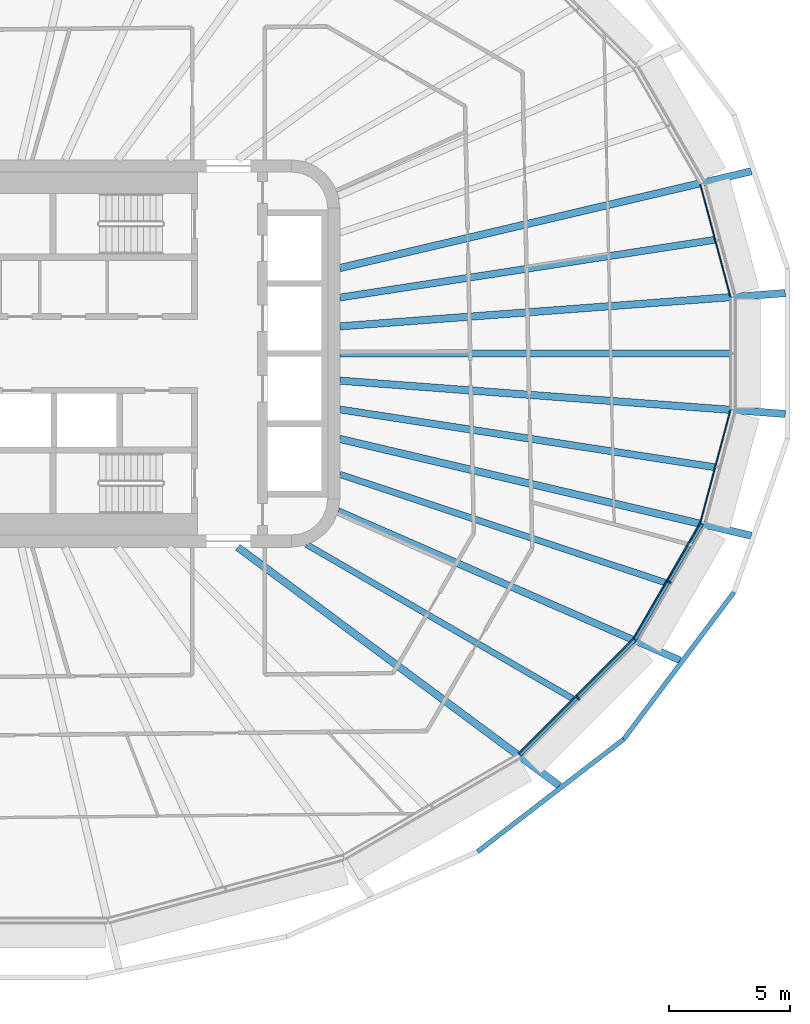
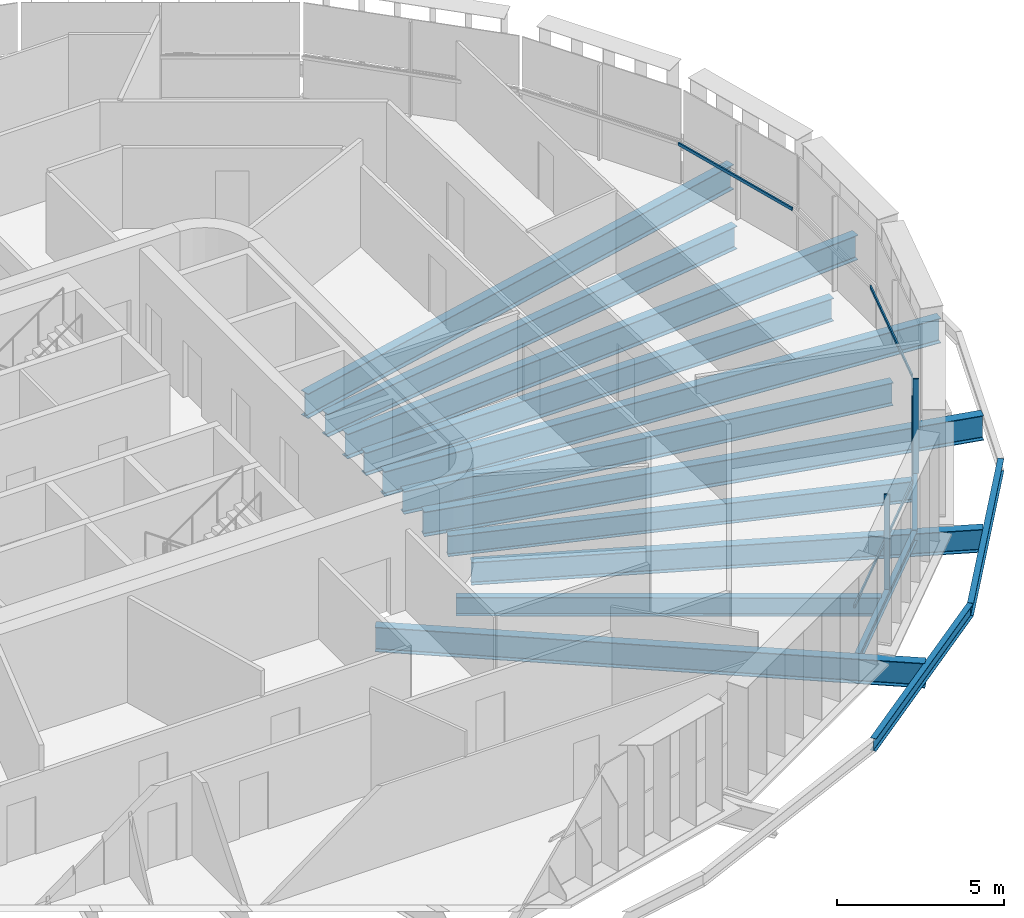
# One storey, part 4 of 23: 15 beams, 6 members, 4 elements without a shape of their own.
"""IFC4 building model written with IfcOpenShell, lengths in metres."""

from ifc_helpers import new_model, si_unit, direction, frame, origin, origin_2d, place, context, subcontext, project, spatial, rectangle, i_section, extrude, material, layer, layer_set, material_profile, profile_set, type_object, element, aggregate, save


model = new_model("IFC4")

# Units and contexts
model_context = context("Model", 3, precision=1e-05, world=origin(), true_north=direction((0.0, 1.0)))
body_context = subcontext(model_context, "Body", "Model", "MODEL_VIEW")
ifc_project = project(units=[si_unit("LENGTHUNIT", "METRE"), si_unit("AREAUNIT", "SQUARE_METRE"), si_unit("VOLUMEUNIT", "CUBIC_METRE"), si_unit("PLANEANGLEUNIT", "RADIAN"), si_unit("MASSUNIT", "GRAM", prefix="KILO")], contexts=[model_context])

# Site, building, storey
site_placement = place(None, origin())
site = spatial("IfcSite", under=ifc_project, at=site_placement, CompositionType="ELEMENT")
building_placement = place(site_placement, origin())
building = spatial("IfcBuilding", under=site, at=building_placement, Name="Sahrelin Media Tower", CompositionType="ELEMENT")
storey_placement = place(building_placement, frame((0.0, 0.0, 157.60009765625)))
storey = spatial("IfcBuildingStorey", under=building, at=storey_placement, Name="L32", CompositionType="ELEMENT", Elevation=157.60009765625)

# Beams
ifc_material_1 = material(Name="Steel S355", Category="steel")
ifc_material_profile_1 = material_profile(ifc_material_1, i_section(OverallWidth=0.1650390625, OverallDepth=0.303466796875, WebThickness=0.006103515625, FlangeThickness=0.01025390625, FilletRadius=0.0087890625, at=origin_2d()), Name="UB 305x165x40")
ifc_profile_set_1 = profile_set([ifc_material_profile_1], Name="Steel S355")
beam_type_1 = type_object("IfcBeamType", Name="Edge beam EB2", PredefinedType="BEAM", material=ifc_profile_set_1)
beam_1_placement = place(storey_placement, frame((29.936279296875, -7.03125, -0.3017578125), z_axis=(-0.499996181239, -0.866027608536, 0.0), x_axis=(0.866027608536, -0.499996181239, 0.0)))
element("IfcBeam", 1, at=beam_1_placement, inside=storey, type_object=beam_type_1, Name="Edge beam L32-03", PredefinedType="BEAM", context=body_context, shape_type="SweptSolid", body=[
    extrude(i_section(OverallWidth=0.1650390625, OverallDepth=0.303466796875, WebThickness=0.006103515625, FlangeThickness=0.01025390625, FilletRadius=0.0087890625, at=origin_2d()), origin(), (0.0, 0.0, 1.0), 5.50732421875),
])
ifc_material_profile_2 = material_profile(ifc_material_1, i_section(OverallWidth=0.17138671875, OverallDepth=0.35498046875, WebThickness=0.00732421875, FlangeThickness=0.011474609375, FilletRadius=0.01025390625, at=origin_2d()), Name="UB 356x171x51")
ifc_profile_set_2 = profile_set([ifc_material_profile_2], Name="Steel S355")
beam_type_2 = type_object("IfcBeamType", Name="Edge beam EB3", PredefinedType="BEAM", material=ifc_profile_set_2)
beam_2_placement = place(storey_placement, frame((27.1650390625, -11.823486328125, -0.32763671875), z_axis=(-0.707088574851, -0.707124987054, 0.0), x_axis=(0.707124987054, -0.707088574851, 0.0)))
element("IfcBeam", 2, at=beam_2_placement, inside=storey, type_object=beam_type_2, Name="Edge beam L32-04", PredefinedType="BEAM", context=body_context, shape_type="SweptSolid", body=[
    extrude(i_section(OverallWidth=0.17138671875, OverallDepth=0.35498046875, WebThickness=0.00732421875, FlangeThickness=0.011474609375, FilletRadius=0.01025390625, at=origin_2d()), origin(), (0.0, 0.0, 1.0), 6.704833984375),
])

# Curtain wall, member
ifc_material_2 = material(Name="Champagne anodised aluminium 6063-T6", Category="aluminium")
ifc_layer = layer(ifc_material_2, 0.14990234375)
ifc_layer_set = layer_set([ifc_layer], Name="Tower ribbon curtain wall")
curtain_wall_type = type_object("IfcCurtainWallType", Name="Tower ribbon curtain wall", PredefinedType="NOTDEFINED", material=ifc_layer_set)
curtain_wall_1_placement = place(storey_placement, frame((24.900390625, -14.300048828125, 0.0), z_axis=(0.0, 0.0, 1.0), x_axis=(1.0, 0.0, 0.0)))
curtain_wall_1 = element("IfcCurtainWall", 3, at=curtain_wall_1_placement, inside=storey, type_object=curtain_wall_type, Name="L32:CW:L32-21", PredefinedType="NOTDEFINED")
ifc_material_profile_3 = material_profile(ifc_material_2, rectangle(XDim=0.06005859375, YDim=0.175048828125, at=origin_2d()), Name="Mullion 60x175")
ifc_profile_set_3 = profile_set([ifc_material_profile_3], Name="Champagne anodised aluminium 6063-T6")
member_type_1 = type_object("IfcMemberType", Name="Mullion 60x175 CW1B", PredefinedType="MULLION", material=ifc_profile_set_3)
member_1_placement = place(storey_placement, frame((24.824462890625, -14.22412109375, 0.0), z_axis=(0.0, 0.0, 1.0), x_axis=(0.707106781187, 0.707106781187, 0.0)))
member_1 = element("IfcMember", 4, at=member_1_placement, type_object=member_type_1, Name="L32:CWM:L32-21", PredefinedType="MULLION", context=body_context, shape_type="SweptSolid", body=[
    extrude(rectangle(XDim=0.06005859375, YDim=0.175048828125, at=origin_2d()), origin(), (0.0, 0.0, 1.0), 3.448486328125),
])

curtain_wall_2_placement = place(storey_placement, frame((28.689208984375, -9.490966796875, 0.0), z_axis=(0.0, 0.0, 1.0), x_axis=(1.0, 0.0, 0.0)))
curtain_wall_2 = element("IfcCurtainWall", 5, at=curtain_wall_2_placement, inside=storey, type_object=curtain_wall_type, Name="L32:CW:L32-22", PredefinedType="NOTDEFINED")
member_2_placement = place(storey_placement, frame((28.59619140625, -9.437255859375, 0.0), z_axis=(0.0, 0.0, 1.0), x_axis=(0.4999984885, 0.866026276448, 0.0)))
member_2 = element("IfcMember", 6, at=member_2_placement, type_object=member_type_1, Name="L32:CWM:L32-22", PredefinedType="MULLION", context=body_context, shape_type="SweptSolid", body=[
    extrude(rectangle(XDim=0.06005859375, YDim=0.175048828125, at=origin_2d()), origin(), (0.0, 0.0, 1.0), 3.448486328125),
])

# Beams
ifc_material_profile_4 = material_profile(ifc_material_1, i_section(OverallWidth=0.291748046875, OverallDepth=0.8349609375, WebThickness=0.013916015625, FlangeThickness=0.018798828125, FilletRadius=0.017822265625, at=origin_2d()), Name="UB 838x292x176")
ifc_profile_set_4 = profile_set([ifc_material_profile_4], Name="Steel S355")
beam_type_3 = type_object("IfcBeamType", Name="Radial primary beam PB10", PredefinedType="BEAM", material=ifc_profile_set_4)
beam_3_placement = place(storey_placement, frame((14.9326171875, -6.51318359375, -0.567626953125), z_axis=(0.916602253647, -0.399800335929, 0.0), x_axis=(0.399800335929, 0.916602253647, 0.0)))
element("IfcBeam", 7, at=beam_3_placement, inside=storey, type_object=beam_type_3, Name="Radial beam L32-22", PredefinedType="BEAM", context=body_context, shape_type="SweptSolid", body=[
    extrude(i_section(OverallWidth=0.291748046875, OverallDepth=0.8349609375, WebThickness=0.013916015625, FlangeThickness=0.018798828125, FilletRadius=0.017822265625, at=origin_2d()), origin(), (0.0, 0.0, 1.0), 15.395263671875),
])
ifc_material_profile_5 = material_profile(ifc_material_1, i_section(OverallWidth=0.30322265625, OverallDepth=0.903076171875, WebThickness=0.01513671875, FlangeThickness=0.020263671875, FilletRadius=0.01904296875, at=origin_2d()), Name="UB 914x305x201")
ifc_profile_set_5 = profile_set([ifc_material_profile_5], Name="Steel S355")
beam_type_4 = type_object("IfcBeamType", Name="Radial primary beam PB11", PredefinedType="BEAM", material=ifc_profile_set_5)
beam_4_placement = place(storey_placement, frame((15.0, 1.12109375, -0.6015625), z_axis=(0.997219391331, 0.074521711965, 0.0), x_axis=(-0.074521711965, 0.997219391331, 0.0)))
element("IfcBeam", 8, at=beam_4_placement, inside=storey, type_object=beam_type_4, Name="Radial beam L32-01", PredefinedType="BEAM", context=body_context, shape_type="SweptSolid", body=[
    extrude(i_section(OverallWidth=0.30322265625, OverallDepth=0.903076171875, WebThickness=0.01513671875, FlangeThickness=0.020263671875, FilletRadius=0.01904296875, at=origin_2d()), origin(), (0.0, 0.0, 1.0), 18.441162109375),
])
beam_5_placement = place(storey_placement, frame((15.0, 3.528564453125, -0.6015625), z_axis=(0.973430745065, 0.228981624942, 0.0), x_axis=(-0.228981624942, 0.973430745065, 0.0)))
element("IfcBeam", 9, at=beam_5_placement, inside=storey, type_object=beam_type_4, Name="Radial beam L32-02", PredefinedType="BEAM", context=body_context, shape_type="SweptSolid", body=[
    extrude(i_section(OverallWidth=0.30322265625, OverallDepth=0.903076171875, WebThickness=0.01513671875, FlangeThickness=0.020263671875, FilletRadius=0.01904296875, at=origin_2d()), origin(), (0.0, 0.0, 1.0), 17.449462890625),
])
beam_6_placement = place(storey_placement, frame((10.784423828125, -8.0, -0.6015625), z_axis=(0.80315204966, -0.595774105788, 0.0), x_axis=(0.595774105788, 0.80315204966, 0.0)))
element("IfcBeam", 10, at=beam_6_placement, inside=storey, type_object=beam_type_4, Name="Radial beam L32-21", PredefinedType="BEAM", context=body_context, shape_type="SweptSolid", body=[
    extrude(i_section(OverallWidth=0.30322265625, OverallDepth=0.903076171875, WebThickness=0.01513671875, FlangeThickness=0.020263671875, FilletRadius=0.01904296875, at=origin_2d()), origin(), (0.0, 0.0, 1.0), 16.532470703125),
])
beam_7_placement = place(storey_placement, frame((15.0, -3.528564453125, -0.6015625), z_axis=(0.973430745065, -0.228981624942, 0.0), x_axis=(0.228981624942, 0.973430745065, 0.0)))
element("IfcBeam", 11, at=beam_7_placement, inside=storey, type_object=beam_type_4, Name="Radial beam L32-23", PredefinedType="BEAM", context=body_context, shape_type="SweptSolid", body=[
    extrude(i_section(OverallWidth=0.30322265625, OverallDepth=0.903076171875, WebThickness=0.01513671875, FlangeThickness=0.020263671875, FilletRadius=0.01904296875, at=origin_2d()), origin(), (0.0, 0.0, 1.0), 17.449462890625),
])
beam_8_placement = place(storey_placement, frame((15.0, -1.12109375, -0.6015625), z_axis=(0.997219391331, -0.074521711965, 0.0), x_axis=(0.074521711965, 0.997219391331, 0.0)))
element("IfcBeam", 12, at=beam_8_placement, inside=storey, type_object=beam_type_4, Name="Radial beam L32-24", PredefinedType="BEAM", context=body_context, shape_type="SweptSolid", body=[
    extrude(i_section(OverallWidth=0.30322265625, OverallDepth=0.903076171875, WebThickness=0.01513671875, FlangeThickness=0.020263671875, FilletRadius=0.01904296875, at=origin_2d()), origin(), (0.0, 0.0, 1.0), 18.441162109375),
])
ifc_material_profile_6 = material_profile(ifc_material_1, i_section(OverallWidth=0.291748046875, OverallDepth=0.8349609375, WebThickness=0.013916015625, FlangeThickness=0.018798828125, FilletRadius=0.017822265625, at=origin_2d()), Name="UB 838x292x176")
ifc_profile_set_6 = profile_set([ifc_material_profile_6], Name="Steel S355")
beam_type_5 = type_object("IfcBeamType", Name="Radial secondary beam SB10", PredefinedType="BEAM", material=ifc_profile_set_6)
for number, where, z_axis, x_axis, name in (
    (13, (15.0, 2.310302734375, -0.567626953125), (0.988348454864, 0.152208185611, 0.0), (-0.152208185611, 0.988348454864, 0.0), "Secondary beam L32-01"),
    (14, (15.0, -2.310302734375, -0.567626953125), (0.988348454864, -0.152208185611, 0.0), (0.152208185611, 0.988348454864, 0.0), "Secondary beam L32-23"),
):
    element("IfcBeam", number, at=place(storey_placement, frame(where, z_axis=z_axis, x_axis=x_axis)), inside=storey, type_object=beam_type_5, Name=name, PredefinedType="BEAM", context=body_context, shape_type="SweptSolid", body=[
        extrude(i_section(OverallWidth=0.291748046875, OverallDepth=0.8349609375, WebThickness=0.013916015625, FlangeThickness=0.018798828125, FilletRadius=0.017822265625, at=origin_2d()), origin(), (0.0, 0.0, 1.0), 15.672607421875),
    ])
beam_9_placement = place(storey_placement, frame((15.0, 0.0, -0.567626953125), z_axis=(1.0, 0.0, 0.0), x_axis=(0.0, 1.0, 0.0)))
element("IfcBeam", 15, at=beam_9_placement, inside=storey, type_object=beam_type_5, Name="Secondary beam L32-24", PredefinedType="BEAM", context=body_context, shape_type="SweptSolid", body=[
    extrude(i_section(OverallWidth=0.291748046875, OverallDepth=0.8349609375, WebThickness=0.013916015625, FlangeThickness=0.018798828125, FilletRadius=0.017822265625, at=origin_2d()), origin(), (0.0, 0.0, 1.0), 16.12841796875),
])
ifc_material_profile_7 = material_profile(ifc_material_1, i_section(OverallWidth=0.2529296875, OverallDepth=0.677978515625, WebThickness=0.01171875, FlangeThickness=0.01611328125, FilletRadius=0.01513671875, at=origin_2d()), Name="UB 686x254x125")
ifc_profile_set_7 = profile_set([ifc_material_profile_7], Name="Steel S355")
beam_type_6 = type_object("IfcBeamType", Name="Radial secondary beam SB8", PredefinedType="BEAM", material=ifc_profile_set_7)
beam_10_placement = place(storey_placement, frame((13.624755859375, -7.887451171875, -0.489013671875), z_axis=(0.865442516247, -0.501008234535, 0.0), x_axis=(0.501008234535, 0.865442516247, 0.0)))
element("IfcBeam", 16, at=beam_10_placement, inside=storey, type_object=beam_type_6, Name="Secondary beam L32-21", PredefinedType="BEAM", context=body_context, shape_type="SweptSolid", body=[
    extrude(i_section(OverallWidth=0.2529296875, OverallDepth=0.677978515625, WebThickness=0.01171875, FlangeThickness=0.01611328125, FilletRadius=0.01513671875, at=origin_2d()), origin(), (0.0, 0.0, 1.0), 12.700927734375),
])
ifc_material_profile_8 = material_profile(ifc_material_1, i_section(OverallWidth=0.26513671875, OverallDepth=0.75390625, WebThickness=0.0126953125, FlangeThickness=0.017578125, FilletRadius=0.0166015625, at=origin_2d()), Name="UB 762x267x147")
ifc_profile_set_8 = profile_set([ifc_material_profile_8], Name="Steel S355")
beam_type_7 = type_object("IfcBeamType", Name="Radial secondary beam SB9", PredefinedType="BEAM", material=ifc_profile_set_8)
beam_11_placement = place(storey_placement, frame((15.0, -4.990234375, -0.527099609375), z_axis=(0.948867590332, -0.315674351219, 0.0), x_axis=(0.315674351219, 0.948867590332, 0.0)))
element("IfcBeam", 17, at=beam_11_placement, inside=storey, type_object=beam_type_7, Name="Secondary beam L32-22", PredefinedType="BEAM", context=body_context, shape_type="SweptSolid", body=[
    extrude(i_section(OverallWidth=0.26513671875, OverallDepth=0.75390625, WebThickness=0.0126953125, FlangeThickness=0.017578125, FilletRadius=0.0166015625, at=origin_2d()), origin(), (0.0, 0.0, 1.0), 14.162353515625),
])
ifc_material_profile_9 = material_profile(ifc_material_1, i_section(OverallWidth=0.1904296875, OverallDepth=0.45703125, WebThickness=0.009033203125, FlangeThickness=0.014404296875, FilletRadius=0.01025390625, at=origin_2d()), Name="UB 457x191x74")
ifc_profile_set_9 = profile_set([ifc_material_profile_9], Name="Steel S355")
beam_type_8 = type_object("IfcBeamType", Name="Tie chord TC5", PredefinedType="BEAM", material=ifc_profile_set_9)
beam_12_placement = place(storey_placement, frame((20.688232421875, -20.567138671875, -0.378662109375), z_axis=(0.792433203357, 0.609958702058, 0.0), x_axis=(-0.609958702058, 0.792433203357, 0.0)))
element("IfcBeam", 18, at=beam_12_placement, inside=storey, type_object=beam_type_8, Name="Tie chord L32-21", PredefinedType="BEAM", context=body_context, shape_type="SweptSolid", body=[
    extrude(i_section(OverallWidth=0.1904296875, OverallDepth=0.45703125, WebThickness=0.009033203125, FlangeThickness=0.014404296875, FilletRadius=0.01025390625, at=origin_2d()), origin(), (0.0, 0.0, 1.0), 7.61279296875),
])
beam_13_placement = place(storey_placement, frame((26.720947265625, -15.923583984375, -0.378662109375), z_axis=(0.600072024218, 0.79994597677, 0.0), x_axis=(-0.79994597677, 0.600072024218, 0.0)))
element("IfcBeam", 19, at=beam_13_placement, inside=storey, type_object=beam_type_8, Name="Tie chord L32-22", PredefinedType="BEAM", context=body_context, shape_type="SweptSolid", body=[
    extrude(i_section(OverallWidth=0.1904296875, OverallDepth=0.45703125, WebThickness=0.009033203125, FlangeThickness=0.014404296875, FilletRadius=0.01025390625, at=origin_2d()), origin(), (0.0, 0.0, 1.0), 7.5927734375),
])

# Curtain wall, member
curtain_wall_3_placement = place(storey_placement, frame((30.71728515625, 4.709716796875, 0.0), z_axis=(0.0, 0.0, 1.0), x_axis=(1.0, 0.0, 0.0)))
curtain_wall_3 = element("IfcCurtainWall", 20, at=curtain_wall_3_placement, inside=storey, type_object=curtain_wall_type, Name="L32:CW:L32-01", PredefinedType="NOTDEFINED")
ifc_material_profile_10 = material_profile(ifc_material_2, rectangle(XDim=0.050048828125, YDim=0.110107421875, at=origin_2d()), Name="Transom 50x110")
ifc_profile_set_10 = profile_set([ifc_material_profile_10], Name="Champagne anodised aluminium 6063-T6")
member_type_2 = type_object("IfcMemberType", Name="Transom 50x110 CW1B", PredefinedType="USERDEFINED", material=ifc_profile_set_10)
member_3_placement = place(storey_placement, frame((31.126220703125, 2.33447265625, 1.599853515625), z_axis=(-0.25885894947, 0.965915133063, 0.0), x_axis=(-0.965915133063, -0.25885894947, 0.0)))
member_3 = element("IfcMember", 21, at=member_3_placement, type_object=member_type_2, Name="L32:CWT:L32-01", ObjectType="TRANSOM", PredefinedType="USERDEFINED", context=body_context, shape_type="SweptSolid", body=[
    extrude(rectangle(XDim=0.050048828125, YDim=0.110107421875, at=origin_2d()), origin(), (0.0, 0.0, 1.0), 4.800537109375),
])
aggregate(curtain_wall_3, [member_3])

# Member
member_4_placement = place(storey_placement, frame((22.385498046875, -16.50390625, 1.599853515625), z_axis=(0.707125072767, 0.707088489133, 0.0), x_axis=(-0.707088489133, 0.707125072767, 0.0)))
member_4 = element("IfcMember", 22, at=member_4_placement, type_object=member_type_2, Name="L32:CWT:L32-21", ObjectType="TRANSOM", PredefinedType="USERDEFINED", context=body_context, shape_type="SweptSolid", body=[
    extrude(rectangle(XDim=0.050048828125, YDim=0.110107421875, at=origin_2d()), origin(), (0.0, 0.0, 1.0), 6.673583984375),
])

aggregate(curtain_wall_1, [member_1, member_4])

member_5_placement = place(storey_placement, frame((27.1298828125, -11.752197265625, 1.599853515625), z_axis=(0.49998489776, 0.866034122891, 0.0), x_axis=(-0.866034122891, 0.49998489776, 0.0)))
member_5 = element("IfcMember", 23, at=member_5_placement, type_object=member_type_2, Name="L32:CWT:L32-22", ObjectType="TRANSOM", PredefinedType="USERDEFINED", context=body_context, shape_type="SweptSolid", body=[
    extrude(rectangle(XDim=0.050048828125, YDim=0.110107421875, at=origin_2d()), origin(), (0.0, 0.0, 1.0), 5.475830078125),
])

aggregate(curtain_wall_2, [member_2, member_5])

# Curtain wall, member
curtain_wall_4_placement = place(storey_placement, frame((30.71728515625, -4.709716796875, 0.0), z_axis=(0.0, 0.0, 1.0), x_axis=(1.0, 0.0, 0.0)))
curtain_wall_4 = element("IfcCurtainWall", 24, at=curtain_wall_4_placement, inside=storey, type_object=curtain_wall_type, Name="L32:CW:L32-23", PredefinedType="NOTDEFINED")
member_6_placement = place(storey_placement, frame((29.883544921875, -6.971435546875, 1.599853515625), z_axis=(0.25885894947, 0.965915133063, 0.0), x_axis=(-0.965915133063, 0.25885894947, 0.0)))
member_6 = element("IfcMember", 25, at=member_6_placement, type_object=member_type_2, Name="L32:CWT:L32-23", ObjectType="TRANSOM", PredefinedType="USERDEFINED", context=body_context, shape_type="SweptSolid", body=[
    extrude(rectangle(XDim=0.050048828125, YDim=0.110107421875, at=origin_2d()), origin(), (0.0, 0.0, 1.0), 4.800537109375),
])
aggregate(curtain_wall_4, [member_6])

save(model, "model.ifc")
